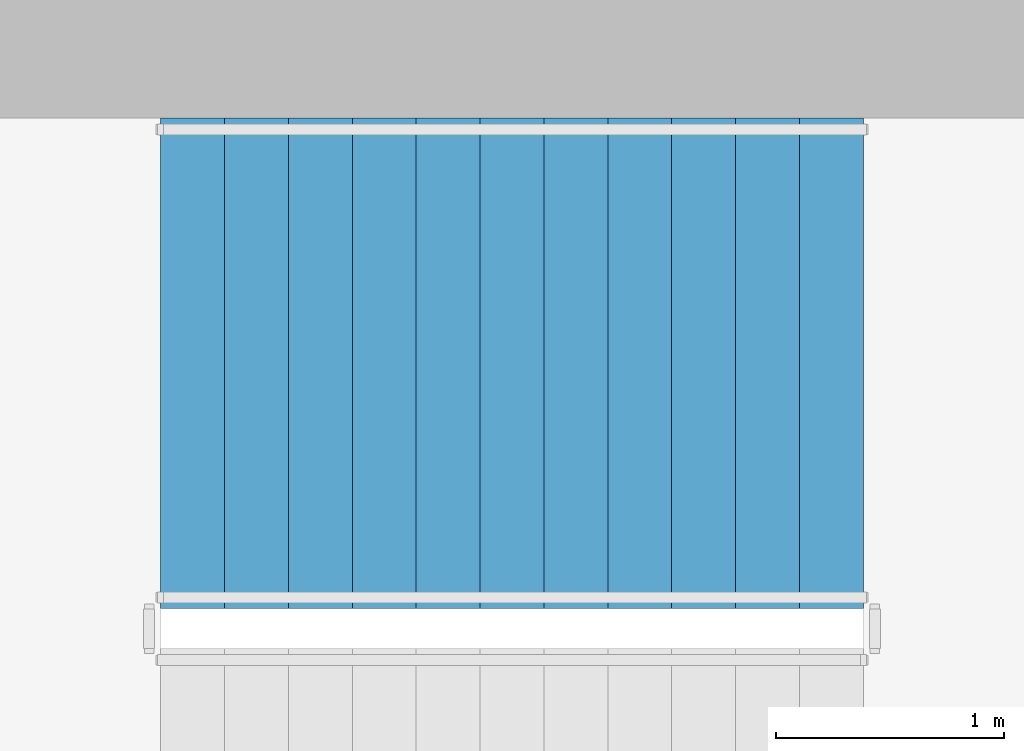
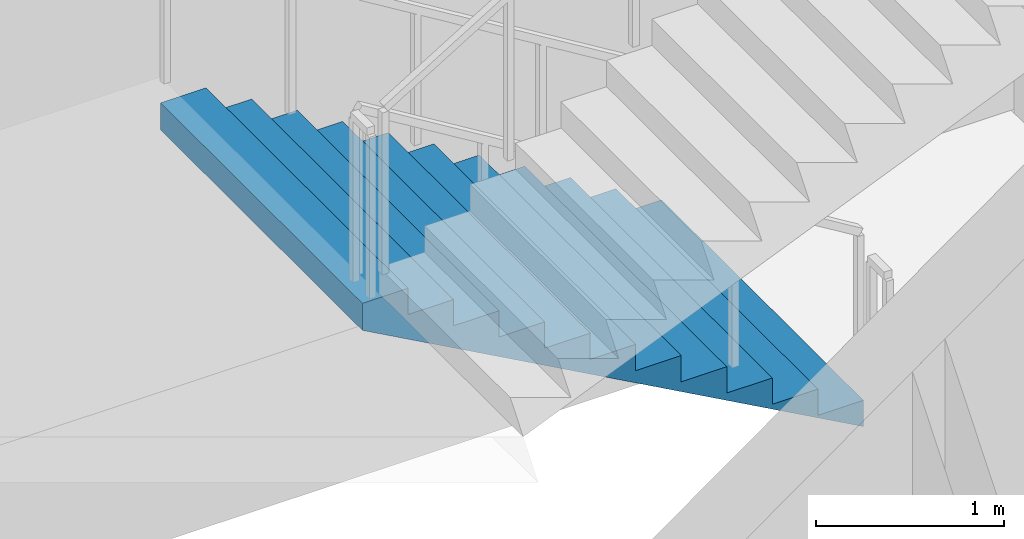
# One storey, part 10 of 15: 1 stair flight, 1 element without a shape of its own.
"""IFC4 building model written with IfcOpenShell, lengths in metres."""

from ifc_helpers import new_model, si_unit, direction, frame, origin, place, context, subcontext, project, spatial, triangles, material, type_object, element, aggregate, save


model = new_model("IFC4")

# Units and contexts
model_context = context("Model", 3, precision=1e-05, world=origin(), true_north=direction((0.0, 1.0)))
body_context = subcontext(model_context, "Body", "Model", "MODEL_VIEW")
ifc_project = project(units=[si_unit("LENGTHUNIT", "METRE"), si_unit("AREAUNIT", "SQUARE_METRE"), si_unit("VOLUMEUNIT", "CUBIC_METRE"), si_unit("PLANEANGLEUNIT", "RADIAN"), si_unit("MASSUNIT", "GRAM", prefix="KILO")], contexts=[model_context])

# Site, building, storey
site_placement = place(None, origin())
site = spatial("IfcSite", under=ifc_project, at=site_placement, CompositionType="ELEMENT")
building_placement = place(site_placement, origin())
building = spatial("IfcBuilding", under=site, at=building_placement, Name="Cypress Arch Tower", CompositionType="ELEMENT")
storey_placement = place(building_placement, frame((0.0, 0.0, 193.300048828125)))
storey = spatial("IfcBuildingStorey", under=building, at=storey_placement, Name="L42", CompositionType="ELEMENT", Elevation=193.300048828125)

# Stair, stair flight
ifc_material_1 = material(Name="Concrete C40/50", Category="concrete")
stair_type = type_object("IfcStairType", Name="Exit stair ES1708-215", PredefinedType="HALF_TURN_STAIR", material=ifc_material_1)
stair_placement = place(storey_placement, origin())
stair = element("IfcStair", 1, at=stair_placement, inside=storey, type_object=stair_type, Name="L42 Exit stair B", PredefinedType="HALF_TURN_STAIR")
ifc_material_2 = material(Name="Concrete C40/50", Category="concrete")
stair_flight_type = type_object("IfcStairFlightType", Name="Exit stair flight ES1708-215", PredefinedType="STRAIGHT", material=ifc_material_2)
stair_flight_placement = place(storey_placement, frame((-22.27490234375, 13.72509765625, 0.0), z_axis=(0.0, 0.0, 1.0), x_axis=(-1.0, 0.0, 0.0)))
stair_flight = element("IfcStairFlight", 2, at=stair_flight_placement, type_object=stair_flight_type, Name="B flight 1", NumberOfRisers=12, NumberOfTreads=11, PredefinedType="STRAIGHT", RiserHeight=0.170833333, TreadLength=0.28, context=body_context, shape_type="Tessellation", body=[
    triangles([(0.0, -1.074951171875, 0.0), (0.000244140625, -1.074951171875, 0.01904296875), (0.000244140625, -1.074951171875, 0.0380859375), (0.00048828125, -1.074951171875, 0.056884765625), (0.00048828125, -1.074951171875, 0.075927734375), (0.00048828125, -1.074951171875, 0.094970703125), (0.00048828125, -1.074951171875, 0.114013671875), (0.000244140625, -1.074951171875, 0.1328125), (0.000244140625, -1.074951171875, 0.15185546875), (0.0, -1.074951171875, 0.1708984375), (0.280029296875, -1.074951171875, 0.1708984375), (0.280029296875, -1.074951171875, 0.341552734375), (0.56005859375, -1.074951171875, 0.341552734375), (0.56005859375, -1.074951171875, 0.512451171875), (0.840087890625, -1.074951171875, 0.512451171875), (0.840087890625, -1.074951171875, 0.683349609375), (1.1201171875, -1.074951171875, 0.683349609375), (1.1201171875, -1.074951171875, 0.854248046875), (1.39990234375, -1.074951171875, 0.854248046875), (1.39990234375, -1.074951171875, 1.02490234375), (1.679931640625, -1.074951171875, 1.02490234375), (1.679931640625, -1.074951171875, 1.19580078125), (1.9599609375, -1.074951171875, 1.19580078125), (1.9599609375, -1.074951171875, 1.36669921875), (2.239990234375, -1.074951171875, 1.36669921875), (2.239990234375, -1.074951171875, 1.53759765625), (2.52001953125, -1.074951171875, 1.53759765625), (2.52001953125, -1.074951171875, 1.708251953125), (2.800048828125, -1.074951171875, 1.708251953125), (2.800048828125, -1.074951171875, 1.879150390625), (3.080078125, -1.074951171875, 1.879150390625), (3.079833984375, -1.074951171875, 1.859619140625), (3.079833984375, -1.074951171875, 1.840087890625), (3.07958984375, -1.074951171875, 1.820556640625), (3.07958984375, -1.074951171875, 1.801025390625), (3.07958984375, -1.074951171875, 1.78173828125), (3.07958984375, -1.074951171875, 1.76220703125), (3.079833984375, -1.074951171875, 1.74267578125), (3.079833984375, -1.074951171875, 1.72314453125), (3.080078125, -1.074951171875, 1.70361328125), (3.080078125, 1.074951171875, 1.70361328125), (3.079833984375, 1.074951171875, 1.72314453125), (3.079833984375, 1.074951171875, 1.74267578125), (3.07958984375, 1.074951171875, 1.76220703125), (3.07958984375, 1.074951171875, 1.78173828125), (3.07958984375, 1.074951171875, 1.801025390625), (3.07958984375, 1.074951171875, 1.820556640625), (3.079833984375, 1.074951171875, 1.840087890625), (3.079833984375, 1.074951171875, 1.859619140625), (3.080078125, 1.074951171875, 1.879150390625), (2.800048828125, 1.074951171875, 1.879150390625), (2.800048828125, 1.074951171875, 1.708251953125), (2.52001953125, 1.074951171875, 1.708251953125), (2.52001953125, 1.074951171875, 1.53759765625), (2.239990234375, 1.074951171875, 1.53759765625), (2.239990234375, 1.074951171875, 1.36669921875), (1.9599609375, 1.074951171875, 1.36669921875), (1.9599609375, 1.074951171875, 1.19580078125), (1.679931640625, 1.074951171875, 1.19580078125), (1.679931640625, 1.074951171875, 1.02490234375), (1.39990234375, 1.074951171875, 1.02490234375), (1.39990234375, 1.074951171875, 0.854248046875), (1.1201171875, 1.074951171875, 0.854248046875), (1.1201171875, 1.074951171875, 0.683349609375), (0.840087890625, 1.074951171875, 0.683349609375), (0.840087890625, 1.074951171875, 0.512451171875), (0.56005859375, 1.074951171875, 0.512451171875), (0.56005859375, 1.074951171875, 0.341552734375), (0.280029296875, 1.074951171875, 0.341552734375), (0.280029296875, 1.074951171875, 0.1708984375), (0.0, 1.074951171875, 0.1708984375), (0.000244140625, 1.074951171875, 0.15185546875), (0.000244140625, 1.074951171875, 0.1328125), (0.00048828125, 1.074951171875, 0.114013671875), (0.00048828125, 1.074951171875, 0.094970703125), (0.00048828125, 1.074951171875, 0.075927734375), (0.00048828125, 1.074951171875, 0.056884765625), (0.000244140625, 1.074951171875, 0.0380859375), (0.000244140625, 1.074951171875, 0.01904296875), (0.0, 1.074951171875, 0.0)], [[40, 39, 30], [39, 38, 30], [38, 37, 30], [37, 36, 30], [36, 35, 30], [35, 34, 30], [34, 33, 30], [33, 32, 30], [32, 31, 30], [19, 18, 17], [27, 26, 25], [25, 24, 23], [23, 22, 21], [17, 16, 15], [15, 14, 13], [10, 9, 11], [9, 8, 11], [8, 7, 11], [7, 6, 11], [6, 5, 11], [5, 4, 11], [4, 3, 11], [3, 2, 11], [2, 1, 11], [29, 28, 27], [21, 20, 19], [13, 12, 11], [40, 30, 29], [40, 29, 27], [40, 27, 25], [40, 25, 23], [40, 23, 21], [40, 21, 19], [40, 19, 17], [40, 17, 15], [40, 15, 13], [1, 40, 13], [13, 11, 1], [41, 51, 42], [42, 51, 43], [43, 51, 44], [44, 51, 45], [45, 51, 46], [46, 51, 47], [47, 51, 48], [48, 51, 49], [49, 51, 50], [62, 64, 63], [54, 56, 55], [56, 58, 57], [58, 60, 59], [64, 66, 65], [66, 68, 67], [71, 70, 72], [72, 70, 73], [73, 70, 74], [74, 70, 75], [75, 70, 76], [76, 70, 77], [77, 70, 78], [78, 70, 79], [79, 70, 80], [52, 54, 53], [60, 62, 61], [68, 70, 69], [41, 52, 51], [41, 54, 52], [41, 56, 54], [41, 58, 56], [41, 60, 58], [41, 62, 60], [41, 64, 62], [41, 66, 64], [41, 68, 66], [80, 68, 41], [68, 80, 70], [41, 42, 39], [41, 39, 40], [42, 43, 38], [42, 38, 39], [43, 44, 37], [43, 37, 38], [44, 45, 36], [44, 36, 37], [45, 46, 35], [45, 35, 36], [46, 47, 34], [46, 34, 35], [47, 48, 33], [47, 33, 34], [48, 49, 32], [48, 32, 33], [49, 50, 31], [49, 31, 32], [50, 51, 30], [50, 30, 31], [51, 52, 29], [51, 29, 30], [52, 53, 28], [52, 28, 29], [53, 54, 27], [53, 27, 28], [54, 55, 26], [54, 26, 27], [55, 56, 25], [55, 25, 26], [56, 57, 24], [56, 24, 25], [57, 58, 23], [57, 23, 24], [58, 59, 22], [58, 22, 23], [59, 60, 21], [59, 21, 22], [60, 61, 20], [60, 20, 21], [61, 62, 19], [61, 19, 20], [62, 63, 18], [62, 18, 19], [63, 64, 17], [63, 17, 18], [64, 65, 16], [64, 16, 17], [65, 66, 15], [65, 15, 16], [66, 67, 14], [66, 14, 15], [67, 68, 13], [67, 13, 14], [68, 69, 12], [68, 12, 13], [69, 70, 11], [69, 11, 12], [70, 71, 10], [70, 10, 11], [71, 72, 9], [71, 9, 10], [72, 73, 8], [72, 8, 9], [73, 74, 7], [73, 7, 8], [74, 75, 6], [74, 6, 7], [75, 76, 5], [75, 5, 6], [76, 77, 4], [76, 4, 5], [77, 78, 3], [77, 3, 4], [78, 79, 2], [78, 2, 3], [79, 80, 1], [79, 1, 2], [80, 41, 40], [80, 40, 1]], closed=True),
])
aggregate(stair, [stair_flight])

save(model, "model.ifc")
